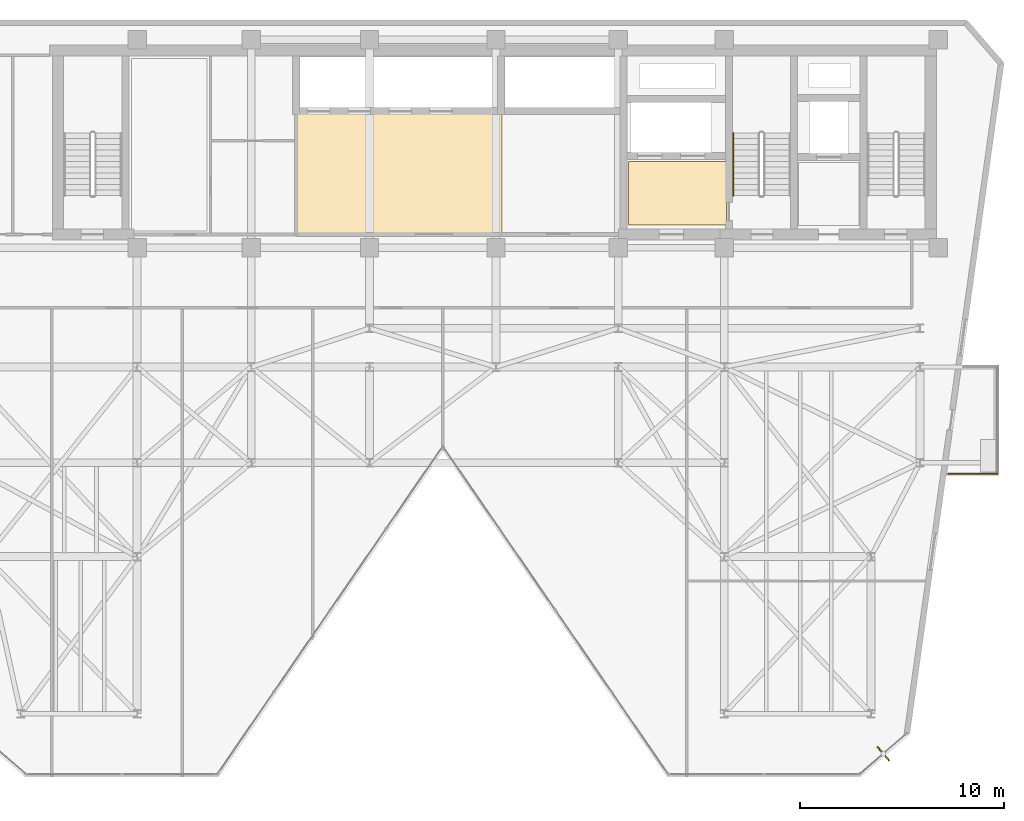
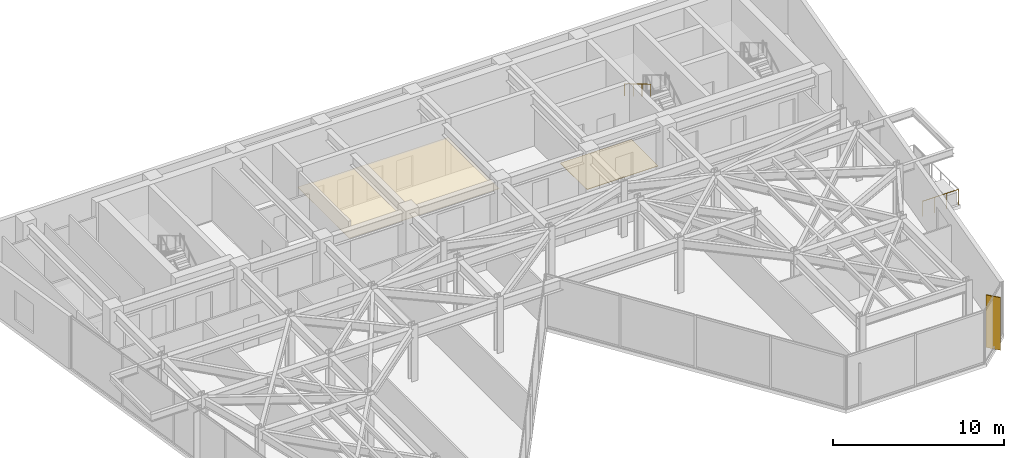
# One storey, part 26 of 27: 2 coverings, 2 railings, 1 shading device.
"""IFC4 building model written with IfcOpenShell, lengths in metres."""

from ifc_helpers import new_model, si_unit, direction, frame, origin, origin_2d, place, context, subcontext, project, spatial, polyline, rectangle, circle, outline, extrude, material, layer, layer_set, type_object, element, save


model = new_model("IFC4")

# Units and contexts
model_context = context("Model", 3, precision=1e-05, world=origin(), true_north=direction((0.0, 1.0)))
body_context = subcontext(model_context, "Body", "Model", "MODEL_VIEW")
ifc_project = project(units=[si_unit("LENGTHUNIT", "METRE"), si_unit("AREAUNIT", "SQUARE_METRE"), si_unit("VOLUMEUNIT", "CUBIC_METRE"), si_unit("PLANEANGLEUNIT", "RADIAN"), si_unit("MASSUNIT", "GRAM", prefix="KILO")], contexts=[model_context])

# Site, building, storey
site_placement = place(None, origin())
site = spatial("IfcSite", under=ifc_project, at=site_placement, CompositionType="ELEMENT")
building_placement = place(site_placement, origin())
building = spatial("IfcBuilding", under=site, at=building_placement, Name="Kravanh Interchange Tower", CompositionType="ELEMENT")
storey_placement = place(building_placement, frame((0.0, 0.0, 164.5)))
storey = spatial("IfcBuildingStorey", under=building, at=storey_placement, Name="L39", CompositionType="ELEMENT", Elevation=164.5)

# Coverings
ifc_material_1 = material(Name="Cementitious Terrazzo Tile")
ifc_layer_1 = layer(ifc_material_1, 0.030029296875)
ifc_layer_set_1 = layer_set([ifc_layer_1], Name="Honed Terrazzo Lobby Flooring 30mm")
covering_type_1 = type_object("IfcCoveringType", Name="Honed Terrazzo Lobby Flooring 30mm", PredefinedType="FLOORING", material=ifc_layer_set_1)
covering_1_placement = place(storey_placement, origin())
element("IfcCovering", 1, at=covering_1_placement, inside=storey, type_object=covering_type_1, Name="L39 Firefighting Lobby Floor Finish", PredefinedType="FLOORING", context=body_context, shape_type="SweptSolid", body=[
    extrude(outline(polyline([(56.1201171875, 38.4599609375), (51.300048828125, 38.4599609375), (51.300048828125, 41.580078125), (56.1201171875, 41.580078125), (56.1201171875, 38.4599609375)])), origin(), (0.0, 0.0, 1.0), 0.030029296875),
])
ifc_material_2 = material(Name="Acoustic Mineral Fibre Tile on Aluminium Grid", Category="aluminium")
ifc_layer_2 = layer(ifc_material_2, 0.02490234375)
ifc_layer_set_2 = layer_set([ifc_layer_2], Name="Perforated Acoustic Mineral Ceiling 25mm")
covering_type_2 = type_object("IfcCoveringType", Name="Perforated Acoustic Mineral Ceiling 25mm", PredefinedType="CEILING", material=ifc_layer_set_2)
covering_2_placement = place(storey_placement, frame((0.0, 0.0, 2.550048828125)))
element("IfcCovering", 2, at=covering_2_placement, inside=storey, type_object=covering_type_2, Name="L39 Mid-Rise Lift Lobby Suspended Ceiling", PredefinedType="CEILING", context=body_context, shape_type="SweptSolid", body=[
    extrude(outline(polyline([(45.090087890625, 37.9599609375), (34.93994140625, 37.9599609375), (34.93994140625, 43.989990234375), (45.090087890625, 43.989990234375), (45.090087890625, 37.9599609375)])), origin(), (0.0, 0.0, 1.0), 0.02490234375),
])

# Railings
ifc_material_3 = material(Name="Stainless Steel 316", Category="steel")
ifc_layer_3 = layer(ifc_material_3, 0.06005859375)
ifc_layer_set_3 = layer_set([ifc_layer_3], Name="Perimeter Balcony and Terrace Guardrail Stainless 316 1120mm")
railing_type_1 = type_object("IfcRailingType", Name="Perimeter Balcony and Terrace Guardrail Stainless 316 1120mm", PredefinedType="GUARDRAIL", material=ifc_layer_set_3)
railing_1_placement = place(storey_placement, frame((69.39306640625, 26.27001953125, 0.0)))
element("IfcRailing", 3, at=railing_1_placement, inside=storey, type_object=railing_type_1, Name="L39 E Balcony Guardrail 2", PredefinedType="GUARDRAIL", context=body_context, shape_type="SweptSolid", body=[
    extrude(circle(Radius=0.02392578125, at=origin_2d()), frame((0.0, 0.0, 1.09619140625), z_axis=(-1.0, 0.0, 0.0), x_axis=(0.0, -1.0, 0.0)), (0.0, 0.0, 1.0), 2.42138671875),
    extrude(circle(Radius=0.02099609375, at=origin_2d()), origin(), (0.0, 0.0, 1.0), 1.072021484375),
    extrude(circle(Radius=0.02099609375, at=origin_2d()), frame((-0.80712890625, 0.0, 0.0)), (0.0, 0.0, 1.0), 1.072021484375),
    extrude(circle(Radius=0.02099609375, at=origin_2d()), frame((-1.6142578125, 0.0, 0.0)), (0.0, 0.0, 1.0), 1.072021484375),
    extrude(circle(Radius=0.02099609375, at=origin_2d()), frame((-2.42138671875, 0.0, 0.0)), (0.0, 0.0, 1.0), 1.072021484375),
])
ifc_material_4 = material(Name="Stainless Steel 304", Category="steel")
ifc_layer_4 = layer(ifc_material_4, 0.044921875)
ifc_layer_set_4 = layer_set([ifc_layer_4], Name="Tubular Stair Handrail Stainless 304 900mm")
railing_type_2 = type_object("IfcRailingType", Name="Tubular Stair Handrail Stainless 304 900mm", PredefinedType="HANDRAIL", material=ifc_layer_set_4)
railing_2_placement = place(storey_placement, frame((56.449951171875, 42.97998046875, 2.166748046875)))
element("IfcRailing", 4, at=railing_2_placement, inside=storey, type_object=railing_type_2, Name="L39 ST2 stair handrail 2", PredefinedType="HANDRAIL", context=body_context, shape_type="SweptSolid", body=[
    extrude(circle(Radius=0.02392578125, at=origin_2d()), frame((0.0, 0.0, 0.8759765625), z_axis=(0.0, -0.859308565015, 0.511457515432), x_axis=(1.0, 0.0, 0.0)), (0.0, 0.0, 1.0), 3.58447265625),
    extrude(circle(Radius=0.02099609375, at=origin_2d()), origin(), (0.0, 0.0, 1.0), 0.851806640625),
    extrude(circle(Radius=0.02099609375, at=origin_2d()), frame((0.0, -1.026611328125, 0.611083984375)), (0.0, 0.0, 1.0), 0.851806640625),
    extrude(circle(Radius=0.02099609375, at=origin_2d()), frame((0.0, -2.053466796875, 1.22216796875)), (0.0, 0.0, 1.0), 0.851806640625),
    extrude(circle(Radius=0.02099609375, at=origin_2d()), frame((0.0, -3.080078125, 1.833251953125)), (0.0, 0.0, 1.0), 0.851806640625),
])

# Shading device
ifc_material_5 = material(Name="Anodised Champagne Bronze Aluminium", Category="aluminium")
ifc_layer_5 = layer(ifc_material_5, 0.06005859375)
ifc_layer_set_5 = layer_set([ifc_layer_5], Name="Vertical Bronze Solar Fin 900mm")
shading_device_type = type_object("IfcShadingDeviceType", Name="Vertical Bronze Solar Fin 900mm", PredefinedType="USERDEFINED", material=ifc_layer_set_5)
shading_device_placement = place(storey_placement, frame((63.80322265625, 12.530517578125, 0.0), z_axis=(0.0, 0.0, 1.0), x_axis=(0.656059988016, -0.754708746554, 0.0)))
element("IfcShadingDevice", 5, at=shading_device_placement, inside=storey, type_object=shading_device_type, Name="L39 BRONZE SOLAR FIN 2", ObjectType="FIN", PredefinedType="USERDEFINED", context=body_context, shape_type="SweptSolid", body=[
    extrude(rectangle(XDim=0.89990234375, YDim=0.06005859375, at=origin_2d()), origin(), (0.0, 0.0, 1.0), 3.7548828125),
])

save(model, "model.ifc")
